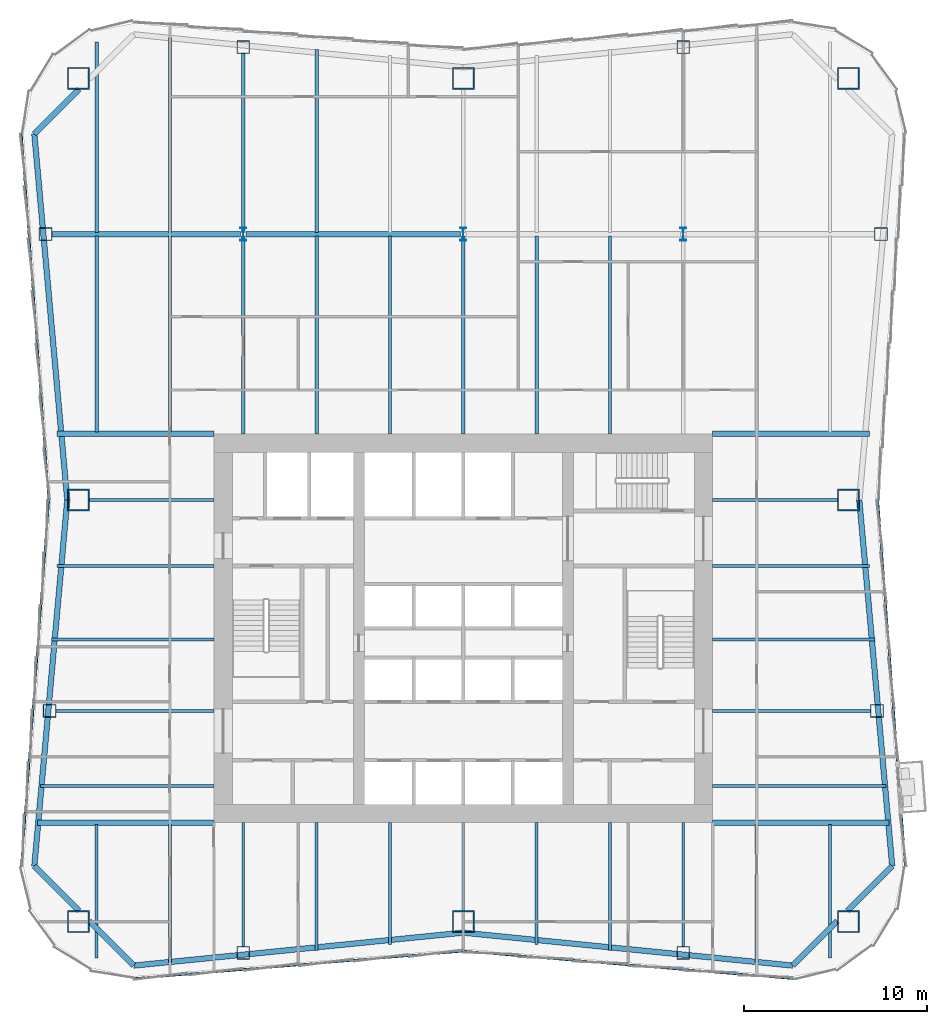
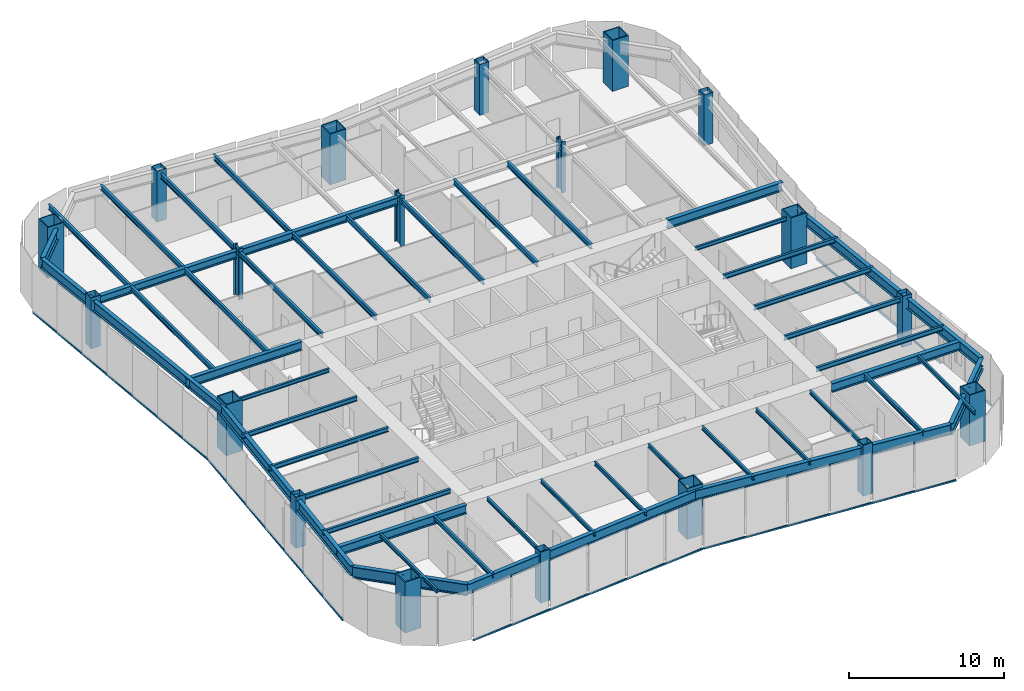
# One storey, part 1 of 9: 49 beams, 19 columns, 6 members, 3 elements without a shape of their own.
"""IFC4 building model written with IfcOpenShell, lengths in metres."""

from ifc_helpers import new_model, si_unit, direction, frame, origin, origin_2d, place, context, subcontext, project, spatial, rectangle, hollow_rectangle, i_section, extrude, material, material_profile, profile_set, type_object, element, aggregate, save


model = new_model("IFC4")

# Units and contexts
model_context = context("Model", 3, precision=1e-05, world=origin(), true_north=direction((0.0, 1.0)))
body_context = subcontext(model_context, "Body", "Model", "MODEL_VIEW")
ifc_project = project(units=[si_unit("LENGTHUNIT", "METRE"), si_unit("AREAUNIT", "SQUARE_METRE"), si_unit("VOLUMEUNIT", "CUBIC_METRE"), si_unit("PLANEANGLEUNIT", "RADIAN"), si_unit("MASSUNIT", "GRAM", prefix="KILO")], contexts=[model_context])

# Site, building, storey
site_placement = place(None, origin())
site = spatial("IfcSite", under=ifc_project, at=site_placement, CompositionType="ELEMENT")
building_placement = place(site_placement, origin())
building = spatial("IfcBuilding", under=site, at=building_placement, Name="Verdant Reach Tower", CompositionType="ELEMENT")
storey_placement = place(building_placement, frame((0.0, 0.0, 166.0)))
storey = spatial("IfcBuildingStorey", under=building, at=storey_placement, Name="L38", CompositionType="ELEMENT", Elevation=166.0)

# Columns
ifc_material_1 = material(Name="Steel S460", Category="steel")
ifc_material_profile_1 = material_profile(ifc_material_1, i_section(OverallWidth=0.30810546875, OverallDepth=0.716064453125, WebThickness=0.02099609375, FlangeThickness=0.0400390625, FilletRadius=0.027099609375, at=origin_2d()), Name="HEM 700")
ifc_profile_set_1 = profile_set([ifc_material_profile_1], Name="Steel S460")
column_type_1 = type_object("IfcColumnType", Name="ST-COL-HEM700", PredefinedType="COLUMN", material=ifc_profile_set_1)
for number, where, z_axis, x_axis, name in (
    (1, (-12.0, 49.5, 0.0), (0.0, 0.0, 1.0), (1.0, 0.0, 0.0), "Interior column 1, L38"),
    (2, (0.0, 49.5, 0.0), (0.0, 0.0, 1.0), (1.0, 0.0, 0.0), "Interior column 2, L38"),
    (3, (12.0, 49.5, 0.0), (0.0, 0.0, 1.0), (1.0, 0.0, 0.0), "Interior column 3, L38"),
):
    element("IfcColumn", number, at=place(storey_placement, frame(where, z_axis=z_axis, x_axis=x_axis)), inside=storey, type_object=column_type_1, Name=name, PredefinedType="COLUMN", context=body_context, shape_type="SweptSolid", body=[
        extrude(i_section(OverallWidth=0.30810546875, OverallDepth=0.716064453125, WebThickness=0.02099609375, FlangeThickness=0.0400390625, FilletRadius=0.027099609375, at=origin_2d()), origin(), (0.0, 0.0, 1.0), 4.0),
    ])
ifc_material_profile_2 = material_profile(ifc_material_1, hollow_rectangle(XDim=1.199951171875, YDim=1.199951171875, WallThickness=0.070068359375, at=origin_2d()), Name="WB 1200x1200x70")
ifc_profile_set_2 = profile_set([ifc_material_profile_2], Name="Steel S460")
column_type_2 = type_object("IfcColumnType", Name="ST-COL-WB1200x1200x70", PredefinedType="COLUMN", material=ifc_profile_set_2)
for number, where, z_axis, x_axis, name in (
    (4, (-21.0, 58.0, 0.0), (0.0, 0.0, 1.0), (1.0, 0.0, 0.0), "Mega column north-west, L38"),
    (5, (0.0, 58.0, 0.0), (0.0, 0.0, 1.0), (1.0, 0.0, 0.0), "Mega column north, L38"),
    (6, (21.0, 58.0, 0.0), (0.0, 0.0, 1.0), (1.0, 0.0, 0.0), "Mega column north-east, L38"),
    (7, (21.0, 35.0, 0.0), (0.0, 0.0, 1.0), (1.0, 0.0, 0.0), "Mega column east, L38"),
    (8, (21.0, 12.0, 0.0), (0.0, 0.0, 1.0), (1.0, 0.0, 0.0), "Mega column south-east, L38"),
    (9, (0.0, 12.0, 0.0), (0.0, 0.0, 1.0), (1.0, 0.0, 0.0), "Mega column south, L38"),
    (10, (-21.0, 12.0, 0.0), (0.0, 0.0, 1.0), (1.0, 0.0, 0.0), "Mega column south-west, L38"),
    (11, (-21.0, 35.0, 0.0), (0.0, 0.0, 1.0), (1.0, 0.0, 0.0), "Mega column west, L38"),
):
    element("IfcColumn", number, at=place(storey_placement, frame(where, z_axis=z_axis, x_axis=x_axis)), inside=storey, type_object=column_type_2, Name=name, PredefinedType="COLUMN", context=body_context, shape_type="SweptSolid", body=[
        extrude(hollow_rectangle(XDim=1.199951171875, YDim=1.199951171875, WallThickness=0.070068359375, at=origin_2d()), origin(), (0.0, 0.0, 1.0), 4.0),
    ])
ifc_material_profile_3 = material_profile(ifc_material_1, hollow_rectangle(XDim=0.699951171875, YDim=0.699951171875, WallThickness=0.030029296875, at=origin_2d()), Name="WB 700x700x30")
ifc_profile_set_3 = profile_set([ifc_material_profile_3], Name="Steel S460")
column_type_3 = type_object("IfcColumnType", Name="ST-COL-WB700x700x30", PredefinedType="COLUMN", material=ifc_profile_set_3)
for number, where, z_axis, x_axis, name in (
    (12, (-12.0, 59.699951171875, 0.0), (0.0, 0.0, 1.0), (1.0, 0.0, 0.0), "Perimeter column north 1, L38"),
    (13, (12.0, 59.699951171875, 0.0), (0.0, 0.0, 1.0), (1.0, 0.0, 0.0), "Perimeter column north 2, L38"),
    (14, (-12.0, 10.300048828125, 0.0), (0.0, 0.0, 1.0), (1.0, 0.0, 0.0), "Perimeter column south 1, L38"),
    (15, (12.0, 10.300048828125, 0.0), (0.0, 0.0, 1.0), (1.0, 0.0, 0.0), "Perimeter column south 2, L38"),
    (16, (22.5625, 23.5, 0.0), (0.0, 0.0, 1.0), (1.0, 0.0, 0.0), "Perimeter column east 1, L38"),
    (17, (22.78759765625, 49.5, 0.0), (0.0, 0.0, 1.0), (1.0, 0.0, 0.0), "Perimeter column east 2, L38"),
    (18, (-22.5625, 23.5, 0.0), (0.0, 0.0, 1.0), (1.0, 0.0, 0.0), "Perimeter column west 1, L38"),
    (19, (-22.78759765625, 49.5, 0.0), (0.0, 0.0, 1.0), (1.0, 0.0, 0.0), "Perimeter column west 2, L38"),
):
    element("IfcColumn", number, at=place(storey_placement, frame(where, z_axis=z_axis, x_axis=x_axis)), inside=storey, type_object=column_type_3, Name=name, PredefinedType="COLUMN", context=body_context, shape_type="SweptSolid", body=[
        extrude(hollow_rectangle(XDim=0.699951171875, YDim=0.699951171875, WallThickness=0.030029296875, at=origin_2d()), origin(), (0.0, 0.0, 1.0), 4.0),
    ])

# Curtain wall, members
ifc_material_2 = material(Name="Anodised aluminium", Category="aluminium")
curtain_wall_type = type_object("IfcCurtainWallType", Name="EN-CW SYSTEM Z2", PredefinedType="NOTDEFINED", material=ifc_material_2)
curtain_wall_1_placement = place(storey_placement, origin())
curtain_wall_1 = element("IfcCurtainWall", 20, at=curtain_wall_1_placement, inside=storey, type_object=curtain_wall_type, Name="Curtain wall east, L38", PredefinedType="NOTDEFINED")
ifc_material_profile_4 = material_profile(ifc_material_2, rectangle(XDim=0.10009765625, YDim=0.1240234375, at=origin_2d()), Name="Transom 124x100")
ifc_profile_set_4 = profile_set([ifc_material_profile_4], Name="Anodised aluminium")
member_type = type_object("IfcMemberType", Name="EN-TRANSOM Z2", PredefinedType="USERDEFINED", material=ifc_profile_set_4)
member_1_placement = place(storey_placement, frame((24.103515625, 15.025390625, -0.2880859375), z_axis=(-0.074481699415, 0.997222380641, 0.0), x_axis=(-0.997222380641, -0.074481699415, 0.0)))
member_1 = element("IfcMember", 21, at=member_1_placement, type_object=member_type, Name="Transom east face part 1 1.1, L38", ObjectType="TRANSOM", PredefinedType="USERDEFINED", context=body_context, shape_type="SweptSolid", body=[
    extrude(rectangle(XDim=0.10009765625, YDim=0.1240234375, at=origin_2d()), origin(), (0.0, 0.0, 1.0), 2.815673828125),
])
member_2_placement = place(storey_placement, frame((23.6748046875, 20.754150390625, -0.2880859375), z_axis=(-0.074815496642, 0.997197393429, 0.0), x_axis=(-0.997197393429, -0.074815496642, 0.0)))
member_2 = element("IfcMember", 22, at=member_2_placement, type_object=member_type, Name="Transom east face part 1 2.1, L38", ObjectType="TRANSOM", PredefinedType="USERDEFINED", context=body_context, shape_type="SweptSolid", body=[
    extrude(rectangle(XDim=0.10009765625, YDim=0.1240234375, at=origin_2d()), origin(), (0.0, 0.0, 1.0), 14.25390625),
])
aggregate(curtain_wall_1, [member_1, member_2])

curtain_wall_2_placement = place(storey_placement, origin())
curtain_wall_2 = element("IfcCurtainWall", 23, at=curtain_wall_2_placement, inside=storey, type_object=curtain_wall_type, Name="Curtain wall west, L38", PredefinedType="NOTDEFINED")
member_3_placement = place(storey_placement, frame((-24.103515625, 54.974609375, -0.2880859375), z_axis=(0.07476111665, -0.997201471839, 0.0), x_axis=(0.997201471839, 0.07476111665, 0.0)))
member_3 = element("IfcMember", 24, at=member_3_placement, type_object=member_type, Name="Transom west face part 1 1.1, L38", ObjectType="TRANSOM", PredefinedType="USERDEFINED", context=body_context, shape_type="SweptSolid", body=[
    extrude(rectangle(XDim=0.10009765625, YDim=0.1240234375, at=origin_2d()), origin(), (0.0, 0.0, 1.0), 19.99853515625),
])
member_4_placement = place(storey_placement, frame((-22.6083984375, 34.968017578125, -0.2880859375), z_axis=(-0.07476111665, -0.997201471839, 0.0), x_axis=(0.997201471839, -0.07476111665, 0.0)))
member_4 = element("IfcMember", 25, at=member_4_placement, type_object=member_type, Name="Transom west face part 2 1.1, L38", ObjectType="TRANSOM", PredefinedType="USERDEFINED", context=body_context, shape_type="SweptSolid", body=[
    extrude(rectangle(XDim=0.10009765625, YDim=0.1240234375, at=origin_2d()), origin(), (0.0, 0.0, 1.0), 19.99853515625),
])
aggregate(curtain_wall_2, [member_3, member_4])

curtain_wall_3_placement = place(storey_placement, origin())
curtain_wall_3 = element("IfcCurtainWall", 26, at=curtain_wall_3_placement, inside=storey, type_object=curtain_wall_type, Name="Curtain wall south, L38", PredefinedType="NOTDEFINED")
member_5_placement = place(storey_placement, frame((-17.97412109375, 8.896728515625, -0.2880859375), z_axis=(0.996548282776, 0.083015179915, 0.0), x_axis=(-0.083015179915, 0.996548282776, 0.0)))
member_5 = element("IfcMember", 27, at=member_5_placement, type_object=member_type, Name="Transom south face part 1 1.1, L38", ObjectType="TRANSOM", PredefinedType="USERDEFINED", context=body_context, shape_type="SweptSolid", body=[
    extrude(rectangle(XDim=0.10009765625, YDim=0.1240234375, at=origin_2d()), origin(), (0.0, 0.0, 1.0), 18.00439453125),
])
member_6_placement = place(storey_placement, frame((0.031982421875, 10.391357421875, -0.2880859375), z_axis=(0.996548282776, -0.083015179915, 0.0), x_axis=(0.083015179915, 0.996548282776, 0.0)))
member_6 = element("IfcMember", 28, at=member_6_placement, type_object=member_type, Name="Transom south face part 2 1.1, L38", ObjectType="TRANSOM", PredefinedType="USERDEFINED", context=body_context, shape_type="SweptSolid", body=[
    extrude(rectangle(XDim=0.10009765625, YDim=0.1240234375, at=origin_2d()), origin(), (0.0, 0.0, 1.0), 18.00439453125),
])
aggregate(curtain_wall_3, [member_5, member_6])

# Beams
ifc_material_3 = material(Name="Steel S355", Category="steel")
ifc_material_profile_5 = material_profile(ifc_material_3, i_section(OverallWidth=0.300048828125, OverallDepth=0.60009765625, WebThickness=0.015380859375, FlangeThickness=0.030029296875, FilletRadius=0.027099609375, at=origin_2d()), Name="HEB 600")
ifc_profile_set_5 = profile_set([ifc_material_profile_5], Name="Steel S355")
beam_type_1 = type_object("IfcBeamType", Name="ST-BEAM-HEB600", PredefinedType="BEAM", material=ifc_profile_set_5)
beam_1_placement = place(storey_placement, frame((-22.4375, 49.5, 3.449951171875), z_axis=(1.0, 0.0, 0.0), x_axis=(0.0, 1.0, 0.0)))
element("IfcBeam", 29, at=beam_1_placement, inside=storey, type_object=beam_type_1, Name="Row girder, L38", PredefinedType="BEAM", context=body_context, shape_type="SweptSolid", body=[
    extrude(i_section(OverallWidth=0.300048828125, OverallDepth=0.60009765625, WebThickness=0.015380859375, FlangeThickness=0.030029296875, FilletRadius=0.027099609375, at=origin_2d()), origin(), (0.0, 0.0, 1.0), 10.283447265625),
])
beam_2_placement = place(storey_placement, frame((-11.845947265625, 49.5, 3.449951171875), z_axis=(1.0, 0.0, 0.0), x_axis=(0.0, 1.0, 0.0)))
element("IfcBeam", 30, at=beam_2_placement, inside=storey, type_object=beam_type_1, Name="Row girder, L38", PredefinedType="BEAM", context=body_context, shape_type="SweptSolid", body=[
    extrude(i_section(OverallWidth=0.300048828125, OverallDepth=0.60009765625, WebThickness=0.015380859375, FlangeThickness=0.030029296875, FilletRadius=0.027099609375, at=origin_2d()), origin(), (0.0, 0.0, 1.0), 11.69189453125),
])
ifc_material_profile_6 = material_profile(ifc_material_3, i_section(OverallWidth=0.300048828125, OverallDepth=0.699951171875, WebThickness=0.01708984375, FlangeThickness=0.031982421875, FilletRadius=0.027099609375, at=origin_2d()), Name="HEB 700")
ifc_profile_set_6 = profile_set([ifc_material_profile_6], Name="Steel S355")
beam_type_2 = type_object("IfcBeamType", Name="ST-BEAM-HEB700", PredefinedType="BEAM", material=ifc_profile_set_6)
for number, where, z_axis, x_axis, name in (
    (31, (13.60009765625, 38.60009765625, 3.39990234375), (1.0, 0.0, 0.0), (0.0, 1.0, 0.0), "Trimmer beam, L38"),
    (32, (-13.60009765625, 38.60009765625, 3.39990234375), (-1.0, 0.0, 0.0), (0.0, -1.0, 0.0), "Trimmer beam, L38"),
):
    element("IfcBeam", number, at=place(storey_placement, frame(where, z_axis=z_axis, x_axis=x_axis)), inside=storey, type_object=beam_type_2, Name=name, PredefinedType="BEAM", context=body_context, shape_type="SweptSolid", body=[
        extrude(i_section(OverallWidth=0.300048828125, OverallDepth=0.699951171875, WebThickness=0.01708984375, FlangeThickness=0.031982421875, FilletRadius=0.027099609375, at=origin_2d()), origin(), (0.0, 0.0, 1.0), 8.568115234375),
    ])
for number, where, z_axis, x_axis, name in (
    (33, (13.60009765625, 17.39990234375, 3.39990234375), (1.0, 0.0, 0.0), (0.0, 1.0, 0.0), "Trimmer beam, L38"),
    (34, (-13.60009765625, 17.39990234375, 3.39990234375), (-1.0, 0.0, 0.0), (0.0, -1.0, 0.0), "Trimmer beam, L38"),
):
    element("IfcBeam", number, at=place(storey_placement, frame(where, z_axis=z_axis, x_axis=x_axis)), inside=storey, type_object=beam_type_2, Name=name, PredefinedType="BEAM", context=body_context, shape_type="SweptSolid", body=[
        extrude(i_section(OverallWidth=0.300048828125, OverallDepth=0.699951171875, WebThickness=0.01708984375, FlangeThickness=0.031982421875, FilletRadius=0.027099609375, at=origin_2d()), origin(), (0.0, 0.0, 1.0), 9.6181640625),
    ])
ifc_material_profile_7 = material_profile(ifc_material_3, i_section(OverallWidth=0.14990234375, OverallDepth=0.300048828125, WebThickness=0.007080078125, FlangeThickness=0.0107421875, FilletRadius=0.014892578125, at=origin_2d()), Name="IPE 300")
ifc_profile_set_7 = profile_set([ifc_material_profile_7], Name="Steel S355")
beam_type_3 = type_object("IfcBeamType", Name="ST-JOIST-IPE300", PredefinedType="JOIST", material=ifc_profile_set_7)
beam_3_placement = place(storey_placement, frame((-20.0, 17.300048828125, 3.60009765625), z_axis=(0.0, -1.0, 0.0), x_axis=(1.0, 0.0, 0.0)))
element("IfcBeam", 35, at=beam_3_placement, inside=storey, type_object=beam_type_3, Name="Floor joist, L38", PredefinedType="JOIST", context=body_context, shape_type="SweptSolid", body=[
    extrude(i_section(OverallWidth=0.14990234375, OverallDepth=0.300048828125, WebThickness=0.007080078125, FlangeThickness=0.0107421875, FilletRadius=0.014892578125, at=origin_2d()), origin(), (0.0, 0.0, 1.0), 7.29052734375),
])
beam_4_placement = place(storey_placement, frame((-12.0, 17.39990234375, 3.60009765625), z_axis=(0.0, -1.0, 0.0), x_axis=(1.0, 0.0, 0.0)))
element("IfcBeam", 36, at=beam_4_placement, inside=storey, type_object=beam_type_3, Name="Floor joist, L38", PredefinedType="JOIST", context=body_context, shape_type="SweptSolid", body=[
    extrude(i_section(OverallWidth=0.14990234375, OverallDepth=0.300048828125, WebThickness=0.007080078125, FlangeThickness=0.0107421875, FilletRadius=0.014892578125, at=origin_2d()), origin(), (0.0, 0.0, 1.0), 6.75),
])
beam_5_placement = place(storey_placement, frame((-8.0, 17.39990234375, 3.60009765625), z_axis=(0.0, -1.0, 0.0), x_axis=(1.0, 0.0, 0.0)))
element("IfcBeam", 37, at=beam_5_placement, inside=storey, type_object=beam_type_3, Name="Floor joist, L38", PredefinedType="JOIST", context=body_context, shape_type="SweptSolid", body=[
    extrude(i_section(OverallWidth=0.14990234375, OverallDepth=0.300048828125, WebThickness=0.007080078125, FlangeThickness=0.0107421875, FilletRadius=0.014892578125, at=origin_2d()), origin(), (0.0, 0.0, 1.0), 6.964599609375),
])
beam_6_placement = place(storey_placement, frame((-4.0, 17.39990234375, 3.60009765625), z_axis=(0.0, -1.0, 0.0), x_axis=(1.0, 0.0, 0.0)))
element("IfcBeam", 38, at=beam_6_placement, inside=storey, type_object=beam_type_3, Name="Floor joist, L38", PredefinedType="JOIST", context=body_context, shape_type="SweptSolid", body=[
    extrude(i_section(OverallWidth=0.14990234375, OverallDepth=0.300048828125, WebThickness=0.007080078125, FlangeThickness=0.0107421875, FilletRadius=0.014892578125, at=origin_2d()), origin(), (0.0, 0.0, 1.0), 6.631103515625),
])
beam_7_placement = place(storey_placement, frame((0.0, 17.39990234375, 3.60009765625), z_axis=(0.0, -1.0, 0.0), x_axis=(1.0, 0.0, 0.0)))
element("IfcBeam", 39, at=beam_7_placement, inside=storey, type_object=beam_type_3, Name="Floor joist, L38", PredefinedType="JOIST", context=body_context, shape_type="SweptSolid", body=[
    extrude(i_section(OverallWidth=0.14990234375, OverallDepth=0.300048828125, WebThickness=0.007080078125, FlangeThickness=0.0107421875, FilletRadius=0.014892578125, at=origin_2d()), origin(), (0.0, 0.0, 1.0), 4.7998046875),
])
beam_8_placement = place(storey_placement, frame((4.0, 17.39990234375, 3.60009765625), z_axis=(0.0, -1.0, 0.0), x_axis=(1.0, 0.0, 0.0)))
element("IfcBeam", 40, at=beam_8_placement, inside=storey, type_object=beam_type_3, Name="Floor joist, L38", PredefinedType="JOIST", context=body_context, shape_type="SweptSolid", body=[
    extrude(i_section(OverallWidth=0.14990234375, OverallDepth=0.300048828125, WebThickness=0.007080078125, FlangeThickness=0.0107421875, FilletRadius=0.014892578125, at=origin_2d()), origin(), (0.0, 0.0, 1.0), 6.631103515625),
])
beam_9_placement = place(storey_placement, frame((8.0, 17.39990234375, 3.60009765625), z_axis=(0.0, -1.0, 0.0), x_axis=(1.0, 0.0, 0.0)))
element("IfcBeam", 41, at=beam_9_placement, inside=storey, type_object=beam_type_3, Name="Floor joist, L38", PredefinedType="JOIST", context=body_context, shape_type="SweptSolid", body=[
    extrude(i_section(OverallWidth=0.14990234375, OverallDepth=0.300048828125, WebThickness=0.007080078125, FlangeThickness=0.0107421875, FilletRadius=0.014892578125, at=origin_2d()), origin(), (0.0, 0.0, 1.0), 6.964599609375),
])
beam_10_placement = place(storey_placement, frame((12.0, 17.39990234375, 3.60009765625), z_axis=(0.0, -1.0, 0.0), x_axis=(1.0, 0.0, 0.0)))
element("IfcBeam", 42, at=beam_10_placement, inside=storey, type_object=beam_type_3, Name="Floor joist, L38", PredefinedType="JOIST", context=body_context, shape_type="SweptSolid", body=[
    extrude(i_section(OverallWidth=0.14990234375, OverallDepth=0.300048828125, WebThickness=0.007080078125, FlangeThickness=0.0107421875, FilletRadius=0.014892578125, at=origin_2d()), origin(), (0.0, 0.0, 1.0), 6.75),
])
beam_11_placement = place(storey_placement, frame((20.0, 17.300048828125, 3.60009765625), z_axis=(0.0, -1.0, 0.0), x_axis=(1.0, 0.0, 0.0)))
element("IfcBeam", 43, at=beam_11_placement, inside=storey, type_object=beam_type_3, Name="Floor joist, L38", PredefinedType="JOIST", context=body_context, shape_type="SweptSolid", body=[
    extrude(i_section(OverallWidth=0.14990234375, OverallDepth=0.300048828125, WebThickness=0.007080078125, FlangeThickness=0.0107421875, FilletRadius=0.014892578125, at=origin_2d()), origin(), (0.0, 0.0, 1.0), 7.29052734375),
])
for number, where, z_axis, x_axis, name in (
    (44, (13.60009765625, 35.0, 3.60009765625), (1.0, 0.0, 0.0), (0.0, 1.0, 0.0), "Floor joist, L38"),
    (45, (-13.60009765625, 35.0, 3.60009765625), (-1.0, 0.0, 0.0), (0.0, -1.0, 0.0), "Floor joist, L38"),
):
    element("IfcBeam", number, at=place(storey_placement, frame(where, z_axis=z_axis, x_axis=x_axis)), inside=storey, type_object=beam_type_3, Name=name, PredefinedType="JOIST", context=body_context, shape_type="SweptSolid", body=[
        extrude(i_section(OverallWidth=0.14990234375, OverallDepth=0.300048828125, WebThickness=0.007080078125, FlangeThickness=0.0107421875, FilletRadius=0.014892578125, at=origin_2d()), origin(), (0.0, 0.0, 1.0), 6.7998046875),
    ])
ifc_material_profile_8 = material_profile(ifc_material_3, i_section(OverallWidth=0.169921875, OverallDepth=0.360107421875, WebThickness=0.008056640625, FlangeThickness=0.0126953125, FilletRadius=0.01806640625, at=origin_2d()), Name="IPE 360")
ifc_profile_set_8 = profile_set([ifc_material_profile_8], Name="Steel S355")
beam_type_4 = type_object("IfcBeamType", Name="ST-JOIST-IPE360", PredefinedType="JOIST", material=ifc_profile_set_8)
for number, where, z_axis, x_axis, name in (
    (46, (-16.0, 17.300048828125, 3.570068359375), (0.0, -1.0, 0.0), (1.0, 0.0, 0.0), "Floor joist, L38"),
    (47, (16.0, 17.300048828125, 3.570068359375), (0.0, -1.0, 0.0), (1.0, 0.0, 0.0), "Floor joist, L38"),
):
    element("IfcBeam", number, at=place(storey_placement, frame(where, z_axis=z_axis, x_axis=x_axis)), inside=storey, type_object=beam_type_4, Name=name, PredefinedType="JOIST", context=body_context, shape_type="SweptSolid", body=[
        extrude(i_section(OverallWidth=0.169921875, OverallDepth=0.360107421875, WebThickness=0.008056640625, FlangeThickness=0.0126953125, FilletRadius=0.01806640625, at=origin_2d()), origin(), (0.0, 0.0, 1.0), 7.53125),
    ])
for number, where, z_axis, x_axis, name in (
    (48, (13.60009765625, 19.39990234375, 3.570068359375), (1.0, 0.0, 0.0), (0.0, 1.0, 0.0), "Floor joist, L38"),
    (49, (-13.60009765625, 19.39990234375, 3.570068359375), (-1.0, 0.0, 0.0), (0.0, -1.0, 0.0), "Floor joist, L38"),
):
    element("IfcBeam", number, at=place(storey_placement, frame(where, z_axis=z_axis, x_axis=x_axis)), inside=storey, type_object=beam_type_4, Name=name, PredefinedType="JOIST", context=body_context, shape_type="SweptSolid", body=[
        extrude(i_section(OverallWidth=0.169921875, OverallDepth=0.360107421875, WebThickness=0.008056640625, FlangeThickness=0.0126953125, FilletRadius=0.01806640625, at=origin_2d()), origin(), (0.0, 0.0, 1.0), 9.46826171875),
    ])
for number, where, z_axis, x_axis, name in (
    (50, (13.60009765625, 23.5, 3.570068359375), (1.0, 0.0, 0.0), (0.0, 1.0, 0.0), "Floor joist, L38"),
    (51, (-13.60009765625, 23.5, 3.570068359375), (-1.0, 0.0, 0.0), (0.0, -1.0, 0.0), "Floor joist, L38"),
):
    element("IfcBeam", number, at=place(storey_placement, frame(where, z_axis=z_axis, x_axis=x_axis)), inside=storey, type_object=beam_type_4, Name=name, PredefinedType="JOIST", context=body_context, shape_type="SweptSolid", body=[
        extrude(i_section(OverallWidth=0.169921875, OverallDepth=0.360107421875, WebThickness=0.008056640625, FlangeThickness=0.0126953125, FilletRadius=0.01806640625, at=origin_2d()), origin(), (0.0, 0.0, 1.0), 8.6123046875),
    ])
for number, where, z_axis, x_axis, name in (
    (52, (13.60009765625, 27.39990234375, 3.570068359375), (1.0, 0.0, 0.0), (0.0, 1.0, 0.0), "Floor joist, L38"),
    (53, (-13.60009765625, 27.39990234375, 3.570068359375), (-1.0, 0.0, 0.0), (0.0, -1.0, 0.0), "Floor joist, L38"),
):
    element("IfcBeam", number, at=place(storey_placement, frame(where, z_axis=z_axis, x_axis=x_axis)), inside=storey, type_object=beam_type_4, Name=name, PredefinedType="JOIST", context=body_context, shape_type="SweptSolid", body=[
        extrude(i_section(OverallWidth=0.169921875, OverallDepth=0.360107421875, WebThickness=0.008056640625, FlangeThickness=0.0126953125, FilletRadius=0.01806640625, at=origin_2d()), origin(), (0.0, 0.0, 1.0), 8.8681640625),
    ])
for number, where, z_axis, x_axis, name in (
    (54, (13.60009765625, 31.39990234375, 3.570068359375), (1.0, 0.0, 0.0), (0.0, 1.0, 0.0), "Floor joist, L38"),
    (55, (-13.60009765625, 31.39990234375, 3.570068359375), (-1.0, 0.0, 0.0), (0.0, -1.0, 0.0), "Floor joist, L38"),
):
    element("IfcBeam", number, at=place(storey_placement, frame(where, z_axis=z_axis, x_axis=x_axis)), inside=storey, type_object=beam_type_4, Name=name, PredefinedType="JOIST", context=body_context, shape_type="SweptSolid", body=[
        extrude(i_section(OverallWidth=0.169921875, OverallDepth=0.360107421875, WebThickness=0.008056640625, FlangeThickness=0.0126953125, FilletRadius=0.01806640625, at=origin_2d()), origin(), (0.0, 0.0, 1.0), 8.568115234375),
    ])
ifc_material_profile_9 = material_profile(ifc_material_3, i_section(OverallWidth=0.179931640625, OverallDepth=0.39990234375, WebThickness=0.008544921875, FlangeThickness=0.013427734375, FilletRadius=0.02099609375, at=origin_2d()), Name="IPE 400")
ifc_profile_set_9 = profile_set([ifc_material_profile_9], Name="Steel S355")
beam_type_5 = type_object("IfcBeamType", Name="ST-JOIST-IPE400", PredefinedType="JOIST", material=ifc_profile_set_9)
beam_12_placement = place(storey_placement, frame((-20.0, 38.699951171875, 3.550048828125), z_axis=(0.0, 1.0, 0.0), x_axis=(-1.0, 0.0, 0.0)))
element("IfcBeam", 56, at=beam_12_placement, inside=storey, type_object=beam_type_5, Name="Floor joist, L38", PredefinedType="JOIST", context=body_context, shape_type="SweptSolid", body=[
    extrude(i_section(OverallWidth=0.179931640625, OverallDepth=0.39990234375, WebThickness=0.008544921875, FlangeThickness=0.013427734375, FilletRadius=0.02099609375, at=origin_2d()), origin(), (0.0, 0.0, 1.0), 10.699951171875),
])
beam_13_placement = place(storey_placement, frame((-20.0, 49.60009765625, 3.550048828125), z_axis=(0.0, 1.0, 0.0), x_axis=(-1.0, 0.0, 0.0)))
element("IfcBeam", 57, at=beam_13_placement, inside=storey, type_object=beam_type_5, Name="Floor joist, L38", PredefinedType="JOIST", context=body_context, shape_type="SweptSolid", body=[
    extrude(i_section(OverallWidth=0.179931640625, OverallDepth=0.39990234375, WebThickness=0.008544921875, FlangeThickness=0.013427734375, FilletRadius=0.02099609375, at=origin_2d()), origin(), (0.0, 0.0, 1.0), 10.390380859375),
])
beam_14_placement = place(storey_placement, frame((-16.0, 38.699951171875, 3.550048828125), z_axis=(0.0, 1.0, 0.0), x_axis=(-1.0, 0.0, 0.0)))
element("IfcBeam", 58, at=beam_14_placement, inside=storey, type_object=beam_type_5, Name="Floor joist, L38", PredefinedType="JOIST", context=body_context, shape_type="SweptSolid", body=[
    extrude(i_section(OverallWidth=0.179931640625, OverallDepth=0.39990234375, WebThickness=0.008544921875, FlangeThickness=0.013427734375, FilletRadius=0.02099609375, at=origin_2d()), origin(), (0.0, 0.0, 1.0), 10.699951171875),
])
beam_15_placement = place(storey_placement, frame((-16.0, 49.60009765625, 3.550048828125), z_axis=(0.0, 1.0, 0.0), x_axis=(-1.0, 0.0, 0.0)))
element("IfcBeam", 59, at=beam_15_placement, inside=storey, type_object=beam_type_5, Name="Floor joist, L38", PredefinedType="JOIST", context=body_context, shape_type="SweptSolid", body=[
    extrude(i_section(OverallWidth=0.179931640625, OverallDepth=0.39990234375, WebThickness=0.008544921875, FlangeThickness=0.013427734375, FilletRadius=0.02099609375, at=origin_2d()), origin(), (0.0, 0.0, 1.0), 10.631103515625),
])
beam_16_placement = place(storey_placement, frame((-12.0, 38.60009765625, 3.550048828125), z_axis=(0.0, 1.0, 0.0), x_axis=(-1.0, 0.0, 0.0)))
element("IfcBeam", 60, at=beam_16_placement, inside=storey, type_object=beam_type_5, Name="Floor joist, L38", PredefinedType="JOIST", context=body_context, shape_type="SweptSolid", body=[
    extrude(i_section(OverallWidth=0.179931640625, OverallDepth=0.39990234375, WebThickness=0.008544921875, FlangeThickness=0.013427734375, FilletRadius=0.02099609375, at=origin_2d()), origin(), (0.0, 0.0, 1.0), 10.7998046875),
])
beam_17_placement = place(storey_placement, frame((-12.0, 49.60009765625, 3.550048828125), z_axis=(0.0, 1.0, 0.0), x_axis=(-1.0, 0.0, 0.0)))
element("IfcBeam", 61, at=beam_17_placement, inside=storey, type_object=beam_type_5, Name="Floor joist, L38", PredefinedType="JOIST", context=body_context, shape_type="SweptSolid", body=[
    extrude(i_section(OverallWidth=0.179931640625, OverallDepth=0.39990234375, WebThickness=0.008544921875, FlangeThickness=0.013427734375, FilletRadius=0.02099609375, at=origin_2d()), origin(), (0.0, 0.0, 1.0), 9.75),
])
beam_18_placement = place(storey_placement, frame((-8.0, 38.60009765625, 3.550048828125), z_axis=(0.0, 1.0, 0.0), x_axis=(-1.0, 0.0, 0.0)))
element("IfcBeam", 62, at=beam_18_placement, inside=storey, type_object=beam_type_5, Name="Floor joist, L38", PredefinedType="JOIST", context=body_context, shape_type="SweptSolid", body=[
    extrude(i_section(OverallWidth=0.179931640625, OverallDepth=0.39990234375, WebThickness=0.008544921875, FlangeThickness=0.013427734375, FilletRadius=0.02099609375, at=origin_2d()), origin(), (0.0, 0.0, 1.0), 10.7998046875),
])
beam_19_placement = place(storey_placement, frame((-8.0, 49.60009765625, 3.550048828125), z_axis=(0.0, 1.0, 0.0), x_axis=(-1.0, 0.0, 0.0)))
element("IfcBeam", 63, at=beam_19_placement, inside=storey, type_object=beam_type_5, Name="Floor joist, L38", PredefinedType="JOIST", context=body_context, shape_type="SweptSolid", body=[
    extrude(i_section(OverallWidth=0.179931640625, OverallDepth=0.39990234375, WebThickness=0.008544921875, FlangeThickness=0.013427734375, FilletRadius=0.02099609375, at=origin_2d()), origin(), (0.0, 0.0, 1.0), 9.964599609375),
])
for number, where, z_axis, x_axis, name in (
    (64, (-4.0, 38.60009765625, 3.550048828125), (0.0, 1.0, 0.0), (-1.0, 0.0, 0.0), "Floor joist, L38"),
    (65, (0.0, 38.60009765625, 3.550048828125), (0.0, 1.0, 0.0), (-1.0, 0.0, 0.0), "Floor joist, L38"),
    (66, (4.0, 38.60009765625, 3.550048828125), (0.0, 1.0, 0.0), (-1.0, 0.0, 0.0), "Floor joist, L38"),
    (67, (8.0, 38.60009765625, 3.550048828125), (0.0, 1.0, 0.0), (-1.0, 0.0, 0.0), "Floor joist, L38"),
):
    element("IfcBeam", number, at=place(storey_placement, frame(where, z_axis=z_axis, x_axis=x_axis)), inside=storey, type_object=beam_type_5, Name=name, PredefinedType="JOIST", context=body_context, shape_type="SweptSolid", body=[
        extrude(i_section(OverallWidth=0.179931640625, OverallDepth=0.39990234375, WebThickness=0.008544921875, FlangeThickness=0.013427734375, FilletRadius=0.02099609375, at=origin_2d()), origin(), (0.0, 0.0, 1.0), 10.7998046875),
    ])
ifc_material_profile_10 = material_profile(ifc_material_3, i_section(OverallWidth=0.300048828125, OverallDepth=0.800048828125, WebThickness=0.017578125, FlangeThickness=0.032958984375, FilletRadius=0.030029296875, at=origin_2d()), Name="HEB 800")
ifc_profile_set_10 = profile_set([ifc_material_profile_10], Name="Steel S355")
beam_type_6 = type_object("IfcBeamType", Name="ST-SPANDREL-HEB800", PredefinedType="SPANDREL", material=ifc_profile_set_10)
for number, where, z_axis, x_axis, name in (
    (68, (17.9658203125, 9.60498046875, 3.35009765625), (-0.995046289869, 0.099412680371, 0.0), (-0.099412680371, -0.995046289869, 0.0), "Edge beam, L38"),
    (69, (0.0, 11.39990234375, 3.35009765625), (-0.995046289869, -0.099412680371, 0.0), (0.099412680371, -0.995046289869, 0.0), "Edge beam, L38"),
):
    element("IfcBeam", number, at=place(storey_placement, frame(where, z_axis=z_axis, x_axis=x_axis)), inside=storey, type_object=beam_type_6, Name=name, PredefinedType="SPANDREL", context=body_context, shape_type="SweptSolid", body=[
        extrude(i_section(OverallWidth=0.300048828125, OverallDepth=0.800048828125, WebThickness=0.017578125, FlangeThickness=0.032958984375, FilletRadius=0.030029296875, at=origin_2d()), origin(), (0.0, 0.0, 1.0), 18.05517578125),
    ])
for number, where, z_axis, x_axis, name in (
    (70, (-23.3955078125, 15.036865234375, 3.35009765625), (0.089574749266, 0.995980102358, 0.0), (-0.995980102358, 0.089574749266, 0.0), "Edge beam, L38"),
    (71, (-21.60009765625, 35.0, 3.35009765625), (-0.089574749266, 0.995980102358, 0.0), (-0.995980102358, -0.089574749266, 0.0), "Edge beam, L38"),
    (72, (21.60009765625, 35.0, 3.35009765625), (0.089574749266, -0.995980102358, 0.0), (0.995980102358, 0.089574749266, 0.0), "Edge beam, L38"),
):
    element("IfcBeam", number, at=place(storey_placement, frame(where, z_axis=z_axis, x_axis=x_axis)), inside=storey, type_object=beam_type_6, Name=name, PredefinedType="SPANDREL", context=body_context, shape_type="SweptSolid", body=[
        extrude(i_section(OverallWidth=0.300048828125, OverallDepth=0.800048828125, WebThickness=0.017578125, FlangeThickness=0.032958984375, FilletRadius=0.030029296875, at=origin_2d()), origin(), (0.0, 0.0, 1.0), 20.043701171875),
    ])
ifc_material_profile_11 = material_profile(ifc_material_3, i_section(OverallWidth=0.302001953125, OverallDepth=0.909912109375, WebThickness=0.02099609375, FlangeThickness=0.0400390625, FilletRadius=0.030029296875, at=origin_2d()), Name="HEM 900")
ifc_profile_set_11 = profile_set([ifc_material_profile_11], Name="Steel S355")
beam_type_7 = type_object("IfcBeamType", Name="ST-SPANDREL-HEM900", PredefinedType="SPANDREL", material=ifc_profile_set_11)
beam_20_placement = place(storey_placement, frame((-17.9658203125, 9.60498046875, 3.294921875), z_axis=(-0.70696494852, 0.70724858541, 0.0), x_axis=(-0.70724858541, -0.70696494852, 0.0)))
element("IfcBeam", 73, at=beam_20_placement, inside=storey, type_object=beam_type_7, Name="Edge beam, L38", PredefinedType="SPANDREL", context=body_context, shape_type="SweptSolid", body=[
    extrude(i_section(OverallWidth=0.302001953125, OverallDepth=0.909912109375, WebThickness=0.02099609375, FlangeThickness=0.0400390625, FilletRadius=0.030029296875, at=origin_2d()), origin(), (0.0, 0.0, 1.0), 3.443115234375),
])
for number, where, z_axis, x_axis, name in (
    (74, (-20.959716796875, 12.60009765625, 3.294921875), (-0.706965048022, 0.707248485948, 0.0), (-0.707248485948, -0.706965048022, 0.0), "Edge beam, L38"),
    (75, (-23.3955078125, 54.963134765625, 3.294921875), (0.706965048022, 0.707248485948, 0.0), (-0.707248485948, 0.706965048022, 0.0), "Edge beam, L38"),
    (76, (23.3955078125, 15.036865234375, 3.294921875), (-0.706965048022, -0.707248485948, 0.0), (0.707248485948, -0.706965048022, 0.0), "Edge beam, L38"),
):
    element("IfcBeam", number, at=place(storey_placement, frame(where, z_axis=z_axis, x_axis=x_axis)), inside=storey, type_object=beam_type_7, Name=name, PredefinedType="SPANDREL", context=body_context, shape_type="SweptSolid", body=[
        extrude(i_section(OverallWidth=0.302001953125, OverallDepth=0.909912109375, WebThickness=0.02099609375, FlangeThickness=0.0400390625, FilletRadius=0.030029296875, at=origin_2d()), origin(), (0.0, 0.0, 1.0), 3.4453125),
    ])
beam_21_placement = place(storey_placement, frame((20.39990234375, 12.0400390625, 3.294921875), z_axis=(-0.70696494852, -0.70724858541, 0.0), x_axis=(0.70724858541, -0.70696494852, 0.0)))
element("IfcBeam", 77, at=beam_21_placement, inside=storey, type_object=beam_type_7, Name="Edge beam, L38", PredefinedType="SPANDREL", context=body_context, shape_type="SweptSolid", body=[
    extrude(i_section(OverallWidth=0.302001953125, OverallDepth=0.909912109375, WebThickness=0.02099609375, FlangeThickness=0.0400390625, FilletRadius=0.030029296875, at=origin_2d()), origin(), (0.0, 0.0, 1.0), 3.443115234375),
])

save(model, "model.ifc")
